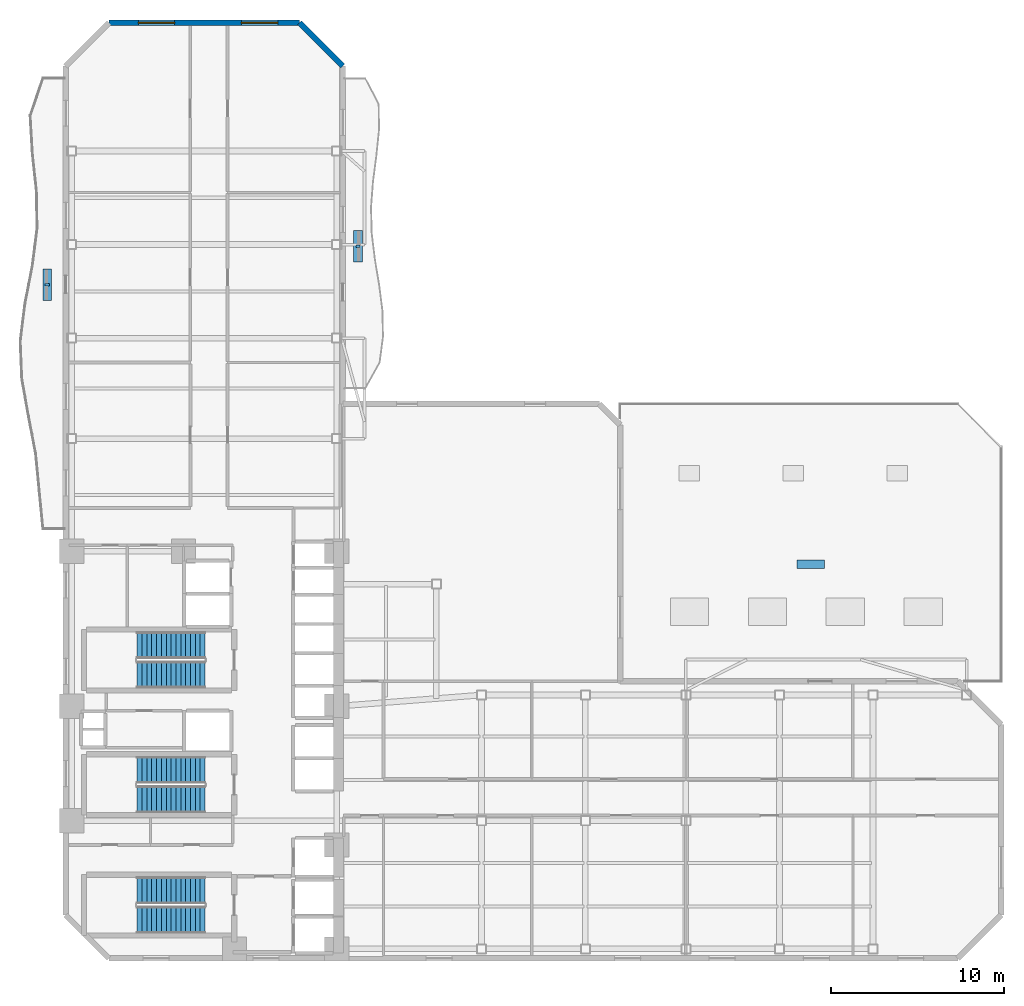
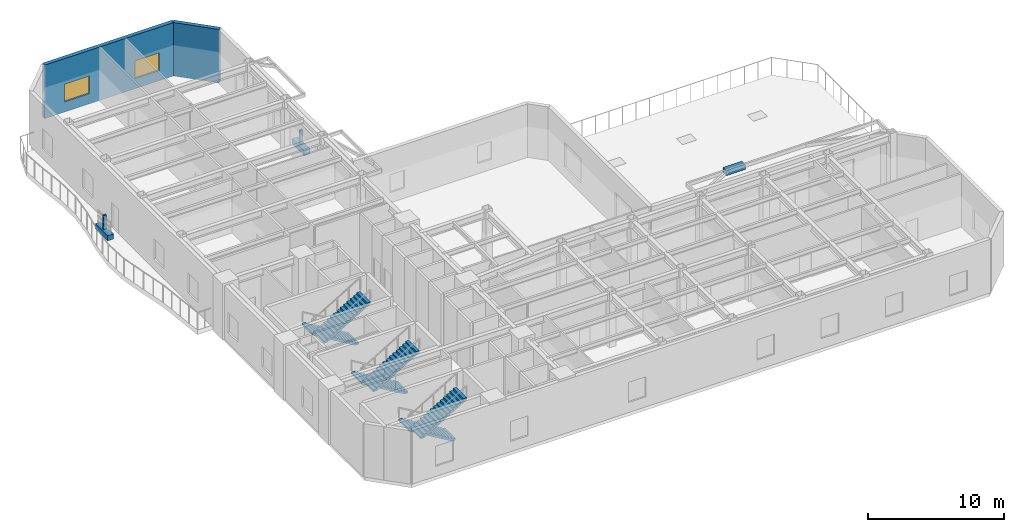
# One storey, part 7 of 10: 6 stair flights, 5 discrete accessories, 2 walls, 2 windows, 2 openings, 3 elements without a shape of their own.
"""IFC4 building model written with IfcOpenShell, lengths in metres."""

from ifc_helpers import new_model, si_unit, direction, frame, frame_2d, origin, origin_2d, place, context, subcontext, project, spatial, polyline, rectangle, outline, extrude, material, layer, layer_set, type_object, element, fill, aggregate, save


model = new_model("IFC4")

# Units and contexts
model_context = context("Model", 3, precision=1e-05, world=origin(), true_north=direction((0.0, 1.0)))
body_context = subcontext(model_context, "Body", "Model", "MODEL_VIEW")
ifc_project = project(units=[si_unit("LENGTHUNIT", "METRE"), si_unit("AREAUNIT", "SQUARE_METRE"), si_unit("VOLUMEUNIT", "CUBIC_METRE"), si_unit("PLANEANGLEUNIT", "RADIAN"), si_unit("MASSUNIT", "GRAM", prefix="KILO")], contexts=[model_context])

# Site, building, storey
site_placement = place(None, origin())
site = spatial("IfcSite", under=ifc_project, at=site_placement, CompositionType="ELEMENT")
building_placement = place(site_placement, origin())
building = spatial("IfcBuilding", under=site, at=building_placement, Name="Mawjaban Terraces University", CompositionType="ELEMENT")
storey_placement = place(building_placement, frame((0.0, 0.0, 26.0)))
storey = spatial("IfcBuildingStorey", under=building, at=storey_placement, Name="L05", CompositionType="ELEMENT", Elevation=26.0)

# Wall
ifc_material_1 = material(Name="Insulated terracotta rainscreen on concrete backup C40/50", Category="masonry")
ifc_layer = layer(ifc_material_1, 0.320068359375)
ifc_layer_set = layer_set([ifc_layer], Name="Insulated terracotta rainscreen on concrete backup C40/50")
wall_type = type_object("IfcWallType", Name="ExtTerracottaWall_320", PredefinedType="SOLIDWALL", material=ifc_layer_set)
wall_1_placement = place(storey_placement, frame((38.0, 51.5, 0.0), z_axis=(0.0, 0.0, 1.0), x_axis=(-0.707106781187, 0.707106781187, 0.0)))
element("IfcWall", 1, at=wall_1_placement, inside=storey, type_object=wall_type, Name="L05 Exterior Terracotta Wall 10", PredefinedType="SOLIDWALL", context=body_context, shape_type="SweptSolid", body=[
    extrude(rectangle(XDim=3.53564453125, YDim=0.320068359375, at=frame_2d((1.767822265625, 0.0))), origin(), (0.0, 0.0, 1.0), 4.7900390625),
])

# Wall, openings, windows
wall_2_placement = place(storey_placement, frame((35.5, 54.0, 0.0), z_axis=(0.0, 0.0, 1.0), x_axis=(-1.0, 0.0, 0.0)))
wall_2 = element("IfcWall", 2, at=wall_2_placement, inside=storey, type_object=wall_type, Name="L05 Exterior Terracotta Wall 11", PredefinedType="SOLIDWALL", context=body_context, shape_type="SweptSolid", body=[
    extrude(rectangle(XDim=11.0, YDim=0.320068359375, at=frame_2d((5.5, 0.0))), origin(), (0.0, 0.0, 1.0), 4.7900390625),
])
opening_1_placement = place(wall_2_placement, frame((1.25, 0.0, 0.89990234375)))
opening_1 = element("IfcOpeningElement", 3, at=opening_1_placement, cuts=wall_2, Name="Opening W-04", PredefinedType="OPENING", context=body_context, shape_type="SweptSolid", body=[
    extrude(rectangle(XDim=2.10009765625, YDim=1.60009765625, at=frame_2d((1.050048828125, 0.800048828125))), frame((0.0, 0.169921875, 0.0), z_axis=(0.0, -1.0, 0.0), x_axis=(1.0, 0.0, 0.0)), (0.0, 0.0, 1.0), 0.340087890625),
])
opening_2_placement = place(wall_2_placement, frame((7.199951171875, 0.0, 0.89990234375)))
opening_2 = element("IfcOpeningElement", 4, at=opening_2_placement, cuts=wall_2, Name="Opening W-04", PredefinedType="OPENING", context=body_context, shape_type="SweptSolid", body=[
    extrude(rectangle(XDim=2.10009765625, YDim=1.60009765625, at=frame_2d((1.050048828125, 0.800048828125))), frame((0.0, 0.169921875, 0.0), z_axis=(0.0, -1.0, 0.0), x_axis=(1.0, 0.0, 0.0)), (0.0, 0.0, 1.0), 0.340087890625),
])
ifc_material_2 = material(Name="Low-E solar-control double glazing in thermally broken aluminium frame", Category="aluminium")
window_type = type_object("IfcWindowType", Name="Win_2100x1600", PartitioningType="SINGLE_PANEL", PredefinedType="WINDOW", material=ifc_material_2)
window_1_placement = place(opening_1_placement, origin())
window_1 = element("IfcWindow", 5, at=window_1_placement, inside=storey, type_object=window_type, Name="L05 Facade Window 11.1", OverallHeight=1.60009765625, OverallWidth=2.10009765625, PartitioningType="SINGLE_PANEL", PredefinedType="WINDOW", context=body_context, shape_type="SweptSolid", body=[
    extrude(rectangle(XDim=2.10009765625, YDim=1.60009765625, at=frame_2d((1.050048828125, 0.800048828125))), frame((0.0, 0.030029296875, 0.0), z_axis=(0.0, -1.0, 0.0), x_axis=(1.0, 0.0, 0.0)), (0.0, 0.0, 1.0), 0.06005859375),
])
fill(opening_1, window_1)
window_2_placement = place(opening_2_placement, origin())
window_2 = element("IfcWindow", 6, at=window_2_placement, inside=storey, type_object=window_type, Name="L05 Facade Window 11.2", OverallHeight=1.60009765625, OverallWidth=2.10009765625, PartitioningType="SINGLE_PANEL", PredefinedType="WINDOW", context=body_context, shape_type="SweptSolid", body=[
    extrude(rectangle(XDim=2.10009765625, YDim=1.60009765625, at=frame_2d((1.050048828125, 0.800048828125))), frame((0.0, 0.030029296875, 0.0), z_axis=(0.0, -1.0, 0.0), x_axis=(1.0, 0.0, 0.0)), (0.0, 0.0, 1.0), 0.06005859375),
])
fill(opening_2, window_2)

# Stair, stair flights
ifc_material_3 = material(Name="Concrete C40/50", Category="concrete")
stair_type = type_object("IfcStairType", Name="Stair_Core1550_H50", PredefinedType="HALF_TURN_STAIR", material=ifc_material_3)
stair_1_placement = place(storey_placement, origin())
stair_1 = element("IfcStair", 7, at=stair_1_placement, inside=storey, type_object=stair_type, Name="L05 Core Exit Stair 1", PredefinedType="HALF_TURN_STAIR")
stair_flight_type = type_object("IfcStairFlightType", Name="Flight_Core1550_H50", PredefinedType="STRAIGHT", material=ifc_material_3)
stair_flight_1_placement = place(storey_placement, frame((30.050048828125, 3.925048828125, 0.0), z_axis=(0.0, 0.0, 1.0), x_axis=(-1.0, 0.0, 0.0)))
stair_flight_1 = element("IfcStairFlight", 8, at=stair_flight_1_placement, type_object=stair_flight_type, Name="ST-1 flight 1", NumberOfRisers=15, NumberOfTreads=14, PredefinedType="STRAIGHT", RiserHeight=0.166666667, TreadLength=0.28, context=body_context, shape_type="SweptSolid", body=[
    extrude(outline(polyline([(0.0, 0.0), (0.0, 0.166748046875), (0.280029296875, 0.166748046875), (0.280029296875, 0.333251953125), (0.56005859375, 0.333251953125), (0.56005859375, 0.5), (0.840087890625, 0.5), (0.840087890625, 0.666748046875), (1.1201171875, 0.666748046875), (1.1201171875, 0.833251953125), (1.39990234375, 0.833251953125), (1.39990234375, 1.0), (1.679931640625, 1.0), (1.679931640625, 1.166748046875), (1.9599609375, 1.166748046875), (1.9599609375, 1.333251953125), (2.239990234375, 1.333251953125), (2.239990234375, 1.5), (2.52001953125, 1.5), (2.52001953125, 1.666748046875), (2.800048828125, 1.666748046875), (2.800048828125, 1.833251953125), (3.080078125, 1.833251953125), (3.080078125, 2.0), (3.360107421875, 2.0), (3.360107421875, 2.166748046875), (3.639892578125, 2.166748046875), (3.639892578125, 2.333251953125), (3.919921875, 2.333251953125), (3.919921875, 2.5), (3.919921875, 2.158935546875), (0.29296875, 0.0), (0.0, 0.0)])), frame((0.0, 0.77490234375, 0.0), z_axis=(0.0, -1.0, 0.0), x_axis=(1.0, 0.0, 0.0)), (0.0, 0.0, 1.0), 1.550048828125),
])
stair_flight_2_placement = place(storey_placement, frame((26.1298828125, 2.22509765625, 2.5), z_axis=(0.0, 0.0, 1.0), x_axis=(1.0, 0.0, 0.0)))
stair_flight_2 = element("IfcStairFlight", 9, at=stair_flight_2_placement, type_object=stair_flight_type, Name="ST-1 flight 2", NumberOfRisers=15, NumberOfTreads=14, PredefinedType="STRAIGHT", RiserHeight=0.166666667, TreadLength=0.28, context=body_context, shape_type="SweptSolid", body=[
    extrude(outline(polyline([(0.0, 0.0), (0.0, 0.166748046875), (0.280029296875, 0.166748046875), (0.280029296875, 0.333251953125), (0.56005859375, 0.333251953125), (0.56005859375, 0.5), (0.840087890625, 0.5), (0.840087890625, 0.666748046875), (1.1201171875, 0.666748046875), (1.1201171875, 0.833251953125), (1.39990234375, 0.833251953125), (1.39990234375, 1.0), (1.679931640625, 1.0), (1.679931640625, 1.166748046875), (1.9599609375, 1.166748046875), (1.9599609375, 1.333251953125), (2.239990234375, 1.333251953125), (2.239990234375, 1.5), (2.52001953125, 1.5), (2.52001953125, 1.666748046875), (2.800048828125, 1.666748046875), (2.800048828125, 1.833251953125), (3.080078125, 1.833251953125), (3.080078125, 2.0), (3.360107421875, 2.0), (3.360107421875, 2.166748046875), (3.639892578125, 2.166748046875), (3.639892578125, 2.333251953125), (3.919921875, 2.333251953125), (3.919921875, 2.5), (3.919921875, 2.158935546875), (0.29296875, 0.0), (0.0, 0.0)])), frame((0.0, 0.77490234375, 0.0), z_axis=(0.0, -1.0, 0.0), x_axis=(1.0, 0.0, 0.0)), (0.0, 0.0, 1.0), 1.550048828125),
])
aggregate(stair_1, [stair_flight_1, stair_flight_2])

stair_2_placement = place(storey_placement, origin())
stair_2 = element("IfcStair", 10, at=stair_2_placement, inside=storey, type_object=stair_type, Name="L05 Core Exit Stair 2", PredefinedType="HALF_TURN_STAIR")
stair_flight_3_placement = place(storey_placement, frame((30.050048828125, 18.074951171875, 0.0), z_axis=(0.0, 0.0, 1.0), x_axis=(-1.0, 0.0, 0.0)))
stair_flight_3 = element("IfcStairFlight", 11, at=stair_flight_3_placement, type_object=stair_flight_type, Name="ST-2 flight 1", NumberOfRisers=15, NumberOfTreads=14, PredefinedType="STRAIGHT", RiserHeight=0.166666667, TreadLength=0.28, context=body_context, shape_type="SweptSolid", body=[
    extrude(outline(polyline([(0.0, 0.0), (0.0, 0.166748046875), (0.280029296875, 0.166748046875), (0.280029296875, 0.333251953125), (0.56005859375, 0.333251953125), (0.56005859375, 0.5), (0.840087890625, 0.5), (0.840087890625, 0.666748046875), (1.1201171875, 0.666748046875), (1.1201171875, 0.833251953125), (1.39990234375, 0.833251953125), (1.39990234375, 1.0), (1.679931640625, 1.0), (1.679931640625, 1.166748046875), (1.9599609375, 1.166748046875), (1.9599609375, 1.333251953125), (2.239990234375, 1.333251953125), (2.239990234375, 1.5), (2.52001953125, 1.5), (2.52001953125, 1.666748046875), (2.800048828125, 1.666748046875), (2.800048828125, 1.833251953125), (3.080078125, 1.833251953125), (3.080078125, 2.0), (3.360107421875, 2.0), (3.360107421875, 2.166748046875), (3.639892578125, 2.166748046875), (3.639892578125, 2.333251953125), (3.919921875, 2.333251953125), (3.919921875, 2.5), (3.919921875, 2.158935546875), (0.29296875, 0.0), (0.0, 0.0)])), frame((0.0, 0.77490234375, 0.0), z_axis=(0.0, -1.0, 0.0), x_axis=(1.0, 0.0, 0.0)), (0.0, 0.0, 1.0), 1.550048828125),
])
stair_flight_4_placement = place(storey_placement, frame((26.1298828125, 16.375, 2.5), z_axis=(0.0, 0.0, 1.0), x_axis=(1.0, 0.0, 0.0)))
stair_flight_4 = element("IfcStairFlight", 12, at=stair_flight_4_placement, type_object=stair_flight_type, Name="ST-2 flight 2", NumberOfRisers=15, NumberOfTreads=14, PredefinedType="STRAIGHT", RiserHeight=0.166666667, TreadLength=0.28, context=body_context, shape_type="SweptSolid", body=[
    extrude(outline(polyline([(0.0, 0.0), (0.0, 0.166748046875), (0.280029296875, 0.166748046875), (0.280029296875, 0.333251953125), (0.56005859375, 0.333251953125), (0.56005859375, 0.5), (0.840087890625, 0.5), (0.840087890625, 0.666748046875), (1.1201171875, 0.666748046875), (1.1201171875, 0.833251953125), (1.39990234375, 0.833251953125), (1.39990234375, 1.0), (1.679931640625, 1.0), (1.679931640625, 1.166748046875), (1.9599609375, 1.166748046875), (1.9599609375, 1.333251953125), (2.239990234375, 1.333251953125), (2.239990234375, 1.5), (2.52001953125, 1.5), (2.52001953125, 1.666748046875), (2.800048828125, 1.666748046875), (2.800048828125, 1.833251953125), (3.080078125, 1.833251953125), (3.080078125, 2.0), (3.360107421875, 2.0), (3.360107421875, 2.166748046875), (3.639892578125, 2.166748046875), (3.639892578125, 2.333251953125), (3.919921875, 2.333251953125), (3.919921875, 2.5), (3.919921875, 2.158935546875), (0.29296875, 0.0), (0.0, 0.0)])), frame((0.0, 0.77490234375, 0.0), z_axis=(0.0, -1.0, 0.0), x_axis=(1.0, 0.0, 0.0)), (0.0, 0.0, 1.0), 1.550048828125),
])
aggregate(stair_2, [stair_flight_3, stair_flight_4])

stair_3_placement = place(storey_placement, origin())
stair_3 = element("IfcStair", 13, at=stair_3_placement, inside=storey, type_object=stair_type, Name="L05 Core Exit Stair 3", PredefinedType="HALF_TURN_STAIR")
stair_flight_5_placement = place(storey_placement, frame((30.050048828125, 10.875, 0.0), z_axis=(0.0, 0.0, 1.0), x_axis=(-1.0, 0.0, 0.0)))
stair_flight_5 = element("IfcStairFlight", 14, at=stair_flight_5_placement, type_object=stair_flight_type, Name="ST-3 flight 1", NumberOfRisers=15, NumberOfTreads=14, PredefinedType="STRAIGHT", RiserHeight=0.166666667, TreadLength=0.28, context=body_context, shape_type="SweptSolid", body=[
    extrude(outline(polyline([(0.0, 0.0), (0.0, 0.166748046875), (0.280029296875, 0.166748046875), (0.280029296875, 0.333251953125), (0.56005859375, 0.333251953125), (0.56005859375, 0.5), (0.840087890625, 0.5), (0.840087890625, 0.666748046875), (1.1201171875, 0.666748046875), (1.1201171875, 0.833251953125), (1.39990234375, 0.833251953125), (1.39990234375, 1.0), (1.679931640625, 1.0), (1.679931640625, 1.166748046875), (1.9599609375, 1.166748046875), (1.9599609375, 1.333251953125), (2.239990234375, 1.333251953125), (2.239990234375, 1.5), (2.52001953125, 1.5), (2.52001953125, 1.666748046875), (2.800048828125, 1.666748046875), (2.800048828125, 1.833251953125), (3.080078125, 1.833251953125), (3.080078125, 2.0), (3.360107421875, 2.0), (3.360107421875, 2.166748046875), (3.639892578125, 2.166748046875), (3.639892578125, 2.333251953125), (3.919921875, 2.333251953125), (3.919921875, 2.5), (3.919921875, 2.158935546875), (0.29296875, 0.0), (0.0, 0.0)])), frame((0.0, 0.77490234375, 0.0), z_axis=(0.0, -1.0, 0.0), x_axis=(1.0, 0.0, 0.0)), (0.0, 0.0, 1.0), 1.550048828125),
])
stair_flight_6_placement = place(storey_placement, frame((26.1298828125, 9.175048828125, 2.5), z_axis=(0.0, 0.0, 1.0), x_axis=(1.0, 0.0, 0.0)))
stair_flight_6 = element("IfcStairFlight", 15, at=stair_flight_6_placement, type_object=stair_flight_type, Name="ST-3 flight 2", NumberOfRisers=15, NumberOfTreads=14, PredefinedType="STRAIGHT", RiserHeight=0.166666667, TreadLength=0.28, context=body_context, shape_type="SweptSolid", body=[
    extrude(outline(polyline([(0.0, 0.0), (0.0, 0.166748046875), (0.280029296875, 0.166748046875), (0.280029296875, 0.333251953125), (0.56005859375, 0.333251953125), (0.56005859375, 0.5), (0.840087890625, 0.5), (0.840087890625, 0.666748046875), (1.1201171875, 0.666748046875), (1.1201171875, 0.833251953125), (1.39990234375, 0.833251953125), (1.39990234375, 1.0), (1.679931640625, 1.0), (1.679931640625, 1.166748046875), (1.9599609375, 1.166748046875), (1.9599609375, 1.333251953125), (2.239990234375, 1.333251953125), (2.239990234375, 1.5), (2.52001953125, 1.5), (2.52001953125, 1.666748046875), (2.800048828125, 1.666748046875), (2.800048828125, 1.833251953125), (3.080078125, 1.833251953125), (3.080078125, 2.0), (3.360107421875, 2.0), (3.360107421875, 2.166748046875), (3.639892578125, 2.166748046875), (3.639892578125, 2.333251953125), (3.919921875, 2.333251953125), (3.919921875, 2.5), (3.919921875, 2.158935546875), (0.29296875, 0.0), (0.0, 0.0)])), frame((0.0, 0.77490234375, 0.0), z_axis=(0.0, -1.0, 0.0), x_axis=(1.0, 0.0, 0.0)), (0.0, 0.0, 1.0), 1.550048828125),
])
aggregate(stair_3, [stair_flight_5, stair_flight_6])

# Discrete accessories
ifc_material_4 = material(Name="Stainless steel 316L", Category="steel")
discrete_accessory_type_1 = type_object("IfcDiscreteAccessoryType", Name="FacadeScreenBracket_Steel", PredefinedType="BRACKET", material=ifc_material_4)
for number, where, z_axis, x_axis, name in (
    (16, (20.943115234375, 38.883056640625, 0.419921875), (0.0, 0.0, 1.0), (0.0, 1.0, 0.0), "L05 Balcony Screen Support Bracket west"),
    (17, (38.881103515625, 41.10400390625, 0.419921875), (0.0, 0.0, 1.0), (0.0, 1.0, 0.0), "L05 Balcony Screen Support Bracket inner_east"),
):
    element("IfcDiscreteAccessory", number, at=place(storey_placement, frame(where, z_axis=z_axis, x_axis=x_axis)), inside=storey, type_object=discrete_accessory_type_1, Name=name, PredefinedType="BRACKET", context=body_context, shape_type="SweptSolid", body=[
        extrude(rectangle(XDim=0.159912109375, YDim=0.239990234375, at=origin_2d()), origin(), (0.0, 0.0, 1.0), 1.300048828125),
    ])
ifc_material_5 = material(Name="Precast architectural terracotta planter with engineered planting soil", Category="masonry")
discrete_accessory_type_2 = type_object("IfcDiscreteAccessoryType", Name="IrrigatedPlanterTrough_450", PredefinedType="USERDEFINED", material=ifc_material_5)
for number, where, z_axis, x_axis, name in (
    (18, (20.943115234375, 38.883056640625, -0.0048828125), (0.0, 0.0, 1.0), (0.0, 1.0, 0.0), "L05 Balcony Irrigated Planter west"),
    (19, (38.881103515625, 41.10400390625, -0.0048828125), (0.0, 0.0, 1.0), (0.0, 1.0, 0.0), "L05 Balcony Irrigated Planter inner_east"),
):
    element("IfcDiscreteAccessory", number, at=place(storey_placement, frame(where, z_axis=z_axis, x_axis=x_axis)), inside=storey, type_object=discrete_accessory_type_2, Name=name, ObjectType="PLANTER", PredefinedType="USERDEFINED", context=body_context, shape_type="SweptSolid", body=[
        extrude(rectangle(XDim=1.800048828125, YDim=0.5, at=origin_2d()), origin(), (0.0, 0.0, 1.0), 0.449951171875),
    ])
discrete_accessory_placement = place(storey_placement, frame((65.0, 22.75, -0.0048828125), z_axis=(0.0, 0.0, 1.0), x_axis=(1.0, 0.0, 0.0)))
element("IfcDiscreteAccessory", 20, at=discrete_accessory_placement, inside=storey, type_object=discrete_accessory_type_2, Name="L05 Terrace Planter TER-L05-POD", ObjectType="PLANTER", PredefinedType="USERDEFINED", context=body_context, shape_type="SweptSolid", body=[
    extrude(rectangle(XDim=1.60009765625, YDim=0.5, at=origin_2d()), origin(), (0.0, 0.0, 1.0), 0.449951171875),
])

save(model, "model.ifc")
